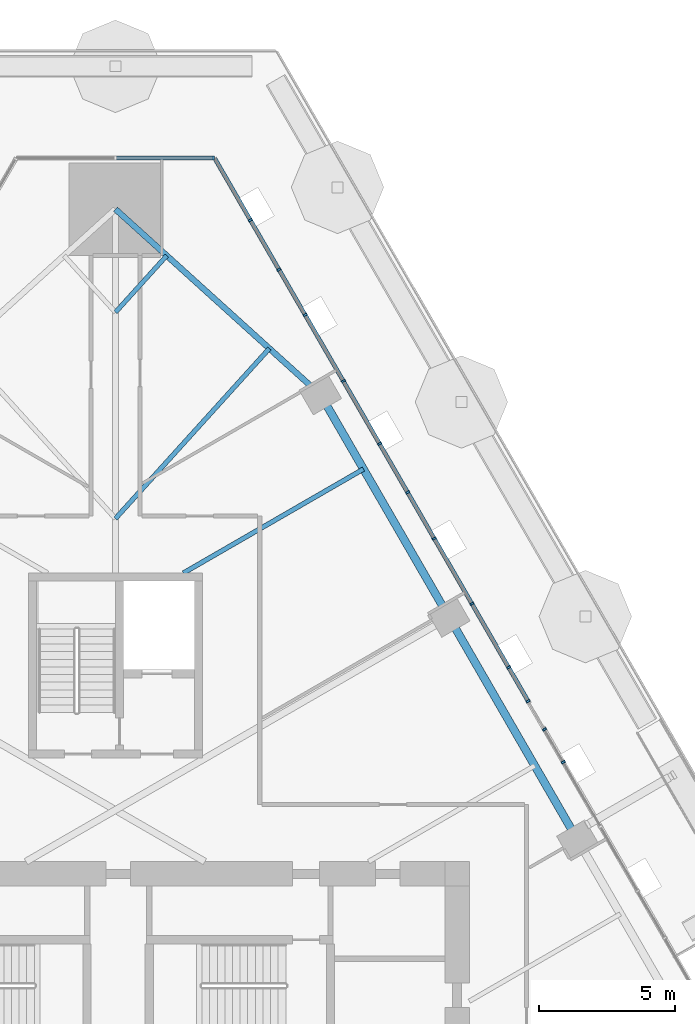
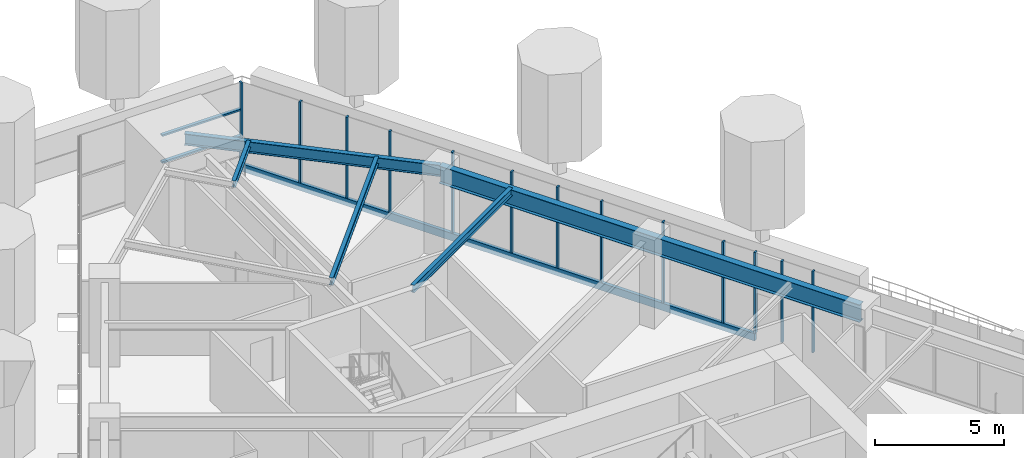
# One storey, part 10 of 25: 16 members, 5 beams, 2 elements without a shape of their own.
"""IFC4 building model written with IfcOpenShell, lengths in metres."""

from ifc_helpers import new_model, si_unit, direction, frame, origin, origin_2d, place, context, subcontext, project, spatial, rectangle, i_section, extrude, material, layer, layer_set, material_profile, profile_set, type_object, element, aggregate, save


model = new_model("IFC4")

# Units and contexts
model_context = context("Model", 3, precision=1e-05, world=origin(), true_north=direction((0.0, 1.0)))
body_context = subcontext(model_context, "Body", "Model", "MODEL_VIEW")
ifc_project = project(units=[si_unit("LENGTHUNIT", "METRE"), si_unit("AREAUNIT", "SQUARE_METRE"), si_unit("VOLUMEUNIT", "CUBIC_METRE"), si_unit("PLANEANGLEUNIT", "RADIAN"), si_unit("MASSUNIT", "GRAM", prefix="KILO")], contexts=[model_context])

# Site, building, storey
site_placement = place(None, origin())
site = spatial("IfcSite", under=ifc_project, at=site_placement, CompositionType="ELEMENT")
building_placement = place(site_placement, origin())
building = spatial("IfcBuilding", under=site, at=building_placement, Name="Firuza Gate Tower and Library", CompositionType="ELEMENT")
storey_placement = place(building_placement, frame((0.0, 0.0, 86.199951171875)))
storey = spatial("IfcBuildingStorey", under=building, at=storey_placement, Name="L19", CompositionType="ELEMENT", Elevation=86.199951171875)

# Curtain wall, members
ifc_material_1 = material(Name="Aluminium 6063-T6", Category="aluminium")
ifc_layer_1 = layer(ifc_material_1, 0.14990234375)
ifc_layer_set_1 = layer_set([ifc_layer_1], Name="Unitised curtain wall, offices")
curtain_wall_type_1 = type_object("IfcCurtainWallType", Name="Unitised curtain wall, offices", PredefinedType="NOTDEFINED", material=ifc_layer_set_1)
placement = place(storey_placement, origin())
curtain_wall_1 = element("IfcCurtainWall", 1, at=placement, inside=storey, type_object=curtain_wall_type_1, Name="CW1 L19 E face", PredefinedType="NOTDEFINED")
ifc_material_2 = material(Name="Aluminium 6063-T6", Category="aluminium")
ifc_material_profile_1 = material_profile(ifc_material_2, rectangle(XDim=0.14990234375, YDim=0.080078125, at=origin_2d()))
ifc_profile_set_1 = profile_set([ifc_material_profile_1], Name="Aluminium 6063-T6")
member_type_1 = type_object("IfcMemberType", Name="Curtain wall mullion 80x150", PredefinedType="MULLION", material=ifc_profile_set_1)
member_1_placement = place(storey_placement, frame((90.75927734375, 88.85595703125, 0.150146484375), z_axis=(0.0, 0.0, 1.0), x_axis=(-0.866025403784, -0.5, 0.0)))
member_1 = element("IfcMember", 2, at=member_1_placement, type_object=member_type_1, Name="Mullion", PredefinedType="MULLION", context=body_context, shape_type="SweptSolid", body=[
    extrude(rectangle(XDim=0.14990234375, YDim=0.080078125, at=origin_2d()), origin(), (0.0, 0.0, 1.0), 3.849853515625),
])
member_2_placement = place(storey_placement, frame((90.1591796875, 89.895263671875, 0.150146484375), z_axis=(0.0, 0.0, 1.0), x_axis=(-0.866025403784, -0.5, 0.0)))
member_2 = element("IfcMember", 3, at=member_2_placement, type_object=member_type_1, Name="Mullion", PredefinedType="MULLION", context=body_context, shape_type="SweptSolid", body=[
    extrude(rectangle(XDim=0.14990234375, YDim=0.080078125, at=origin_2d()), origin(), (0.0, 0.0, 1.0), 3.849853515625),
])
member_3_placement = place(storey_placement, frame((88.093994140625, 93.472412109375, 0.150146484375), z_axis=(0.0, 0.0, 1.0), x_axis=(-0.866025403784, -0.5, 0.0)))
member_3 = element("IfcMember", 4, at=member_3_placement, type_object=member_type_1, Name="Mullion", PredefinedType="MULLION", context=body_context, shape_type="SweptSolid", body=[
    extrude(rectangle(XDim=0.14990234375, YDim=0.080078125, at=origin_2d()), origin(), (0.0, 0.0, 1.0), 3.849853515625),
])
member_4_placement = place(storey_placement, frame((85.731201171875, 97.564453125, 0.150146484375), z_axis=(0.0, 0.0, 1.0), x_axis=(-0.866025403784, -0.5, 0.0)))
member_4 = element("IfcMember", 5, at=member_4_placement, type_object=member_type_1, Name="Mullion", PredefinedType="MULLION", context=body_context, shape_type="SweptSolid", body=[
    extrude(rectangle(XDim=0.14990234375, YDim=0.080078125, at=origin_2d()), origin(), (0.0, 0.0, 1.0), 3.849853515625),
])
member_5_placement = place(storey_placement, frame((83.36865234375, 101.65673828125, 0.150146484375), z_axis=(0.0, 0.0, 1.0), x_axis=(-0.866025403784, -0.5, 0.0)))
member_5 = element("IfcMember", 6, at=member_5_placement, type_object=member_type_1, Name="Mullion", PredefinedType="MULLION", context=body_context, shape_type="SweptSolid", body=[
    extrude(rectangle(XDim=0.14990234375, YDim=0.080078125, at=origin_2d()), origin(), (0.0, 0.0, 1.0), 3.849853515625),
])
member_6_placement = place(storey_placement, frame((81.005859375, 105.7490234375, 0.150146484375), z_axis=(0.0, 0.0, 1.0), x_axis=(-0.866025403784, -0.5, 0.0)))
member_6 = element("IfcMember", 7, at=member_6_placement, type_object=member_type_1, Name="Mullion", PredefinedType="MULLION", context=body_context, shape_type="SweptSolid", body=[
    extrude(rectangle(XDim=0.14990234375, YDim=0.080078125, at=origin_2d()), origin(), (0.0, 0.0, 1.0), 3.849853515625),
])
member_7_placement = place(storey_placement, frame((91.452392578125, 87.6552734375, 0.150146484375), z_axis=(0.0, 0.0, 1.0), x_axis=(-0.866025403784, -0.5, 0.0)))
member_7 = element("IfcMember", 8, at=member_7_placement, type_object=member_type_1, Name="Mullion", PredefinedType="MULLION", context=body_context, shape_type="SweptSolid", body=[
    extrude(rectangle(XDim=0.14990234375, YDim=0.080078125, at=origin_2d()), origin(), (0.0, 0.0, 1.0), 3.849853515625),
])
member_8_placement = place(storey_placement, frame((89.443359375, 91.135009765625, 0.150146484375), z_axis=(0.0, 0.0, 1.0), x_axis=(-0.866025403784, -0.5, 0.0)))
member_8 = element("IfcMember", 9, at=member_8_placement, type_object=member_type_1, Name="Mullion", PredefinedType="MULLION", context=body_context, shape_type="SweptSolid", body=[
    extrude(rectangle(XDim=0.14990234375, YDim=0.080078125, at=origin_2d()), origin(), (0.0, 0.0, 1.0), 3.849853515625),
])
member_9_placement = place(storey_placement, frame((86.709716796875, 95.86962890625, 0.150146484375), z_axis=(0.0, 0.0, 1.0), x_axis=(-0.866025403784, -0.5, 0.0)))
member_9 = element("IfcMember", 10, at=member_9_placement, type_object=member_type_1, Name="Mullion", PredefinedType="MULLION", context=body_context, shape_type="SweptSolid", body=[
    extrude(rectangle(XDim=0.14990234375, YDim=0.080078125, at=origin_2d()), origin(), (0.0, 0.0, 1.0), 3.849853515625),
])
member_10_placement = place(storey_placement, frame((84.70068359375, 99.349609375, 0.150146484375), z_axis=(0.0, 0.0, 1.0), x_axis=(-0.866025403784, -0.5, 0.0)))
member_10 = element("IfcMember", 11, at=member_10_placement, type_object=member_type_1, Name="Mullion", PredefinedType="MULLION", context=body_context, shape_type="SweptSolid", body=[
    extrude(rectangle(XDim=0.14990234375, YDim=0.080078125, at=origin_2d()), origin(), (0.0, 0.0, 1.0), 3.849853515625),
])
member_11_placement = place(storey_placement, frame((81.967041015625, 104.084228515625, 0.150146484375), z_axis=(0.0, 0.0, 1.0), x_axis=(-0.866025403784, -0.5, 0.0)))
member_11 = element("IfcMember", 12, at=member_11_placement, type_object=member_type_1, Name="Mullion", PredefinedType="MULLION", context=body_context, shape_type="SweptSolid", body=[
    extrude(rectangle(XDim=0.14990234375, YDim=0.080078125, at=origin_2d()), origin(), (0.0, 0.0, 1.0), 3.849853515625),
])
member_12_placement = place(storey_placement, frame((79.9580078125, 107.564208984375, 0.150146484375), z_axis=(0.0, 0.0, 1.0), x_axis=(-0.866025403784, -0.5, 0.0)))
member_12 = element("IfcMember", 13, at=member_12_placement, type_object=member_type_1, Name="Mullion", PredefinedType="MULLION", context=body_context, shape_type="SweptSolid", body=[
    extrude(rectangle(XDim=0.14990234375, YDim=0.080078125, at=origin_2d()), origin(), (0.0, 0.0, 1.0), 3.849853515625),
])

# Curtain wall, member
ifc_material_3 = material(Name="Aluminium 6063-T6", Category="aluminium")
ifc_layer_2 = layer(ifc_material_3, 0.14990234375)
ifc_layer_set_2 = layer_set([ifc_layer_2], Name="Corner curtain wall, chamfers")
curtain_wall_type_2 = type_object("IfcCurtainWallType", Name="Corner curtain wall, chamfers", PredefinedType="NOTDEFINED", material=ifc_layer_set_2)
curtain_wall_2 = element("IfcCurtainWall", 14, at=placement, inside=storey, type_object=curtain_wall_type_2, Name="CW4 L19 N corner", PredefinedType="NOTDEFINED")
member_13_placement = place(storey_placement, frame((78.603271484375, 109.84130859375, 0.150146484375), z_axis=(0.0, 0.0, 1.0), x_axis=(0.0, -1.0, 0.0)))
member_13 = element("IfcMember", 15, at=member_13_placement, type_object=member_type_1, Name="Mullion", PredefinedType="MULLION", context=body_context, shape_type="SweptSolid", body=[
    extrude(rectangle(XDim=0.14990234375, YDim=0.080078125, at=origin_2d()), origin(), (0.0, 0.0, 1.0), 3.849853515625),
])

# Member
ifc_material_4 = material(Name="Aluminium 6063-T6", Category="aluminium")
ifc_material_profile_2 = material_profile(ifc_material_4, rectangle(XDim=0.14990234375, YDim=0.35009765625, at=origin_2d()))
ifc_profile_set_2 = profile_set([ifc_material_profile_2], Name="Aluminium 6063-T6")
member_type_2 = type_object("IfcMemberType", Name="Curtain wall transom 350x150", PredefinedType="USERDEFINED", material=ifc_profile_set_2)
member_14_placement = place(storey_placement, frame((90.1591796875, 89.895263671875, -0.02490234375), z_axis=(-0.500000479851, 0.866025126742, 0.0), x_axis=(-0.866025126742, -0.500000479851, 0.0)))
member_14 = element("IfcMember", 16, at=member_14_placement, type_object=member_type_2, Name="Transom", ObjectType="TRANSOM", PredefinedType="USERDEFINED", context=body_context, shape_type="SweptSolid", body=[
    extrude(rectangle(XDim=0.14990234375, YDim=0.35009765625, at=origin_2d()), origin(), (0.0, 0.0, 1.0), 23.03173828125),
])

aggregate(curtain_wall_1, [member_1, member_2, member_3, member_4, member_5, member_6, member_14, member_7, member_8, member_9, member_10, member_11, member_12])

ifc_material_5 = material(Name="Aluminium 6063-T6", Category="aluminium")
ifc_material_profile_3 = material_profile(ifc_material_5, rectangle(XDim=0.14990234375, YDim=0.080078125, at=origin_2d()))
ifc_profile_set_3 = profile_set([ifc_material_profile_3], Name="Aluminium 6063-T6")
member_type_3 = type_object("IfcMemberType", Name="Curtain wall transom 80x150", PredefinedType="USERDEFINED", material=ifc_profile_set_3)
member_15_placement = place(storey_placement, frame((78.603271484375, 109.84130859375, 1.449951171875), z_axis=(-1.0, 0.0, 0.0), x_axis=(0.0, -1.0, 0.0)))
member_15 = element("IfcMember", 17, at=member_15_placement, type_object=member_type_3, Name="Transom", ObjectType="TRANSOM", PredefinedType="USERDEFINED", context=body_context, shape_type="SweptSolid", body=[
    extrude(rectangle(XDim=0.14990234375, YDim=0.080078125, at=origin_2d()), origin(), (0.0, 0.0, 1.0), 3.563232421875),
])

member_16_placement = place(storey_placement, frame((78.603271484375, 109.84130859375, 2.72509765625), z_axis=(-1.0, 0.0, 0.0), x_axis=(0.0, -1.0, 0.0)))
member_16 = element("IfcMember", 18, at=member_16_placement, type_object=member_type_3, Name="Transom", ObjectType="TRANSOM", PredefinedType="USERDEFINED", context=body_context, shape_type="SweptSolid", body=[
    extrude(rectangle(XDim=0.14990234375, YDim=0.080078125, at=origin_2d()), origin(), (0.0, 0.0, 1.0), 3.563232421875),
])

aggregate(curtain_wall_2, [member_13, member_15, member_16])

# Beams
ifc_material_6 = material(Name="Steel S355", Category="steel")
ifc_material_profile_4 = material_profile(ifc_material_6, i_section(OverallWidth=0.1650390625, OverallDepth=0.31005859375, WebThickness=0.005859375, FlangeThickness=0.009765625, at=origin_2d()))
ifc_profile_set_4 = profile_set([ifc_material_profile_4], Name="Steel S355")
beam_type_1 = type_object("IfcBeamType", Name="W310x39 Floor beam", PredefinedType="JOIST", material=ifc_profile_set_4)
beam_1_placement = place(storey_placement, frame((76.884765625, 106.2607421875, 3.844970703125), z_axis=(-0.670983871645, -0.741471944171, 0.0), x_axis=(0.741471944171, -0.670983871645, 0.0)))
element("IfcBeam", 19, at=beam_1_placement, inside=storey, type_object=beam_type_1, Name="Floor beam L19 s61", PredefinedType="JOIST", context=body_context, shape_type="SweptSolid", body=[
    extrude(i_section(OverallWidth=0.1650390625, OverallDepth=0.31005859375, WebThickness=0.005859375, FlangeThickness=0.009765625, at=origin_2d()), origin(), (0.0, 0.0, 1.0), 2.808837890625),
])
ifc_material_7 = material(Name="Steel S355", Category="steel")
ifc_material_profile_5 = material_profile(ifc_material_7, i_section(OverallWidth=0.1708984375, OverallDepth=0.35498046875, WebThickness=0.007080078125, FlangeThickness=0.01171875, at=origin_2d()))
ifc_profile_set_5 = profile_set([ifc_material_profile_5], Name="Steel S355")
beam_type_2 = type_object("IfcBeamType", Name="W360x51 Floor beam", PredefinedType="JOIST", material=ifc_profile_set_5)
beam_2_placement = place(storey_placement, frame((84.111328125, 98.42041015625, 3.822509765625), z_axis=(-0.866024357025, -0.500001813036, 0.0), x_axis=(0.500001813036, -0.866024357025, 0.0)))
element("IfcBeam", 20, at=beam_2_placement, inside=storey, type_object=beam_type_2, Name="Floor beam L19 s55", PredefinedType="JOIST", context=body_context, shape_type="SweptSolid", body=[
    extrude(i_section(OverallWidth=0.1708984375, OverallDepth=0.35498046875, WebThickness=0.007080078125, FlangeThickness=0.01171875, at=origin_2d()), origin(), (0.0, 0.0, 1.0), 7.640625),
])
beam_3_placement = place(storey_placement, frame((80.654052734375, 102.849853515625, 3.822509765625), z_axis=(-0.670982357379, -0.74147331448, 0.0), x_axis=(0.74147331448, -0.670982357379, 0.0)))
element("IfcBeam", 21, at=beam_3_placement, inside=storey, type_object=beam_type_2, Name="Floor beam L19 s60", PredefinedType="JOIST", context=body_context, shape_type="SweptSolid", body=[
    extrude(i_section(OverallWidth=0.1708984375, OverallDepth=0.35498046875, WebThickness=0.007080078125, FlangeThickness=0.01171875, at=origin_2d()), origin(), (0.0, 0.0, 1.0), 8.426513671875),
])
ifc_material_8 = material(Name="Steel S355", Category="steel")
ifc_material_profile_6 = material_profile(ifc_material_8, i_section(OverallWidth=0.212890625, OverallDepth=0.5390625, WebThickness=0.01171875, FlangeThickness=0.018798828125, at=origin_2d()))
ifc_profile_set_6 = profile_set([ifc_material_profile_6], Name="Steel S355")
beam_type_3 = type_object("IfcBeamType", Name="W530x109 Edge beam", PredefinedType="SPANDREL", material=ifc_profile_set_6)
beam_4_placement = place(storey_placement, frame((82.53857421875, 101.144287109375, 3.73046875), z_axis=(-0.741466940551, 0.670989400862, 0.0), x_axis=(-0.670989400862, -0.741466940551, 0.0)))
element("IfcBeam", 22, at=beam_4_placement, inside=storey, type_object=beam_type_3, Name="Edge beam L19 e60", PredefinedType="SPANDREL", context=body_context, shape_type="SweptSolid", body=[
    extrude(i_section(OverallWidth=0.212890625, OverallDepth=0.5390625, WebThickness=0.01171875, FlangeThickness=0.018798828125, at=origin_2d()), origin(), (0.0, 0.0, 1.0), 10.1669921875),
])
ifc_material_9 = material(Name="Steel S355", Category="steel")
ifc_material_profile_7 = material_profile(ifc_material_9, i_section(OverallWidth=0.2919921875, OverallDepth=0.8349609375, WebThickness=0.013916015625, FlangeThickness=0.018798828125, at=origin_2d()))
ifc_profile_set_7 = profile_set([ifc_material_profile_7], Name="Steel S355")
beam_type_4 = type_object("IfcBeamType", Name="W840x176 Edge beam", PredefinedType="SPANDREL", material=ifc_profile_set_7)
beam_5_placement = place(storey_placement, frame((91.974853515625, 84.80029296875, 3.58251953125), z_axis=(-0.500002777067, 0.866023800438, 0.0), x_axis=(-0.866023800438, -0.500002777067, 0.0)))
element("IfcBeam", 23, at=beam_5_placement, inside=storey, type_object=beam_type_4, Name="Edge beam L19 e52", PredefinedType="SPANDREL", context=body_context, shape_type="SweptSolid", body=[
    extrude(i_section(OverallWidth=0.2919921875, OverallDepth=0.8349609375, WebThickness=0.013916015625, FlangeThickness=0.018798828125, at=origin_2d()), origin(), (0.0, 0.0, 1.0), 18.87255859375),
])

save(model, "model.ifc")
